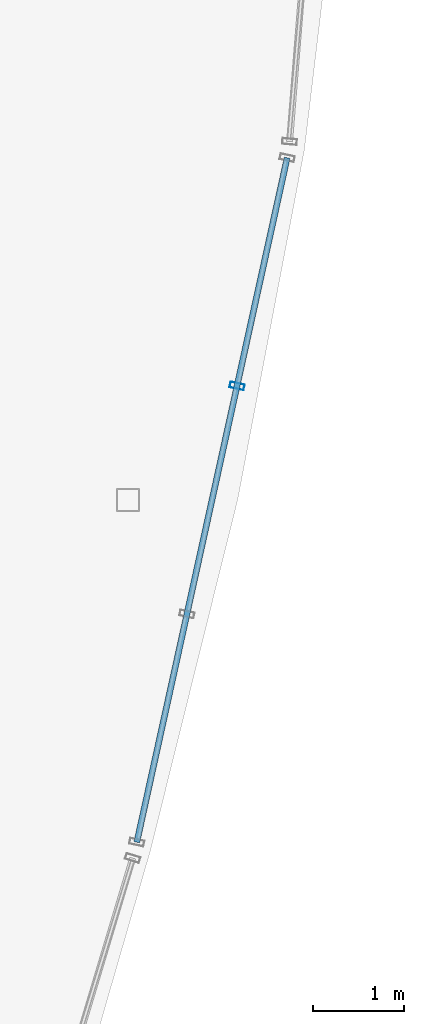
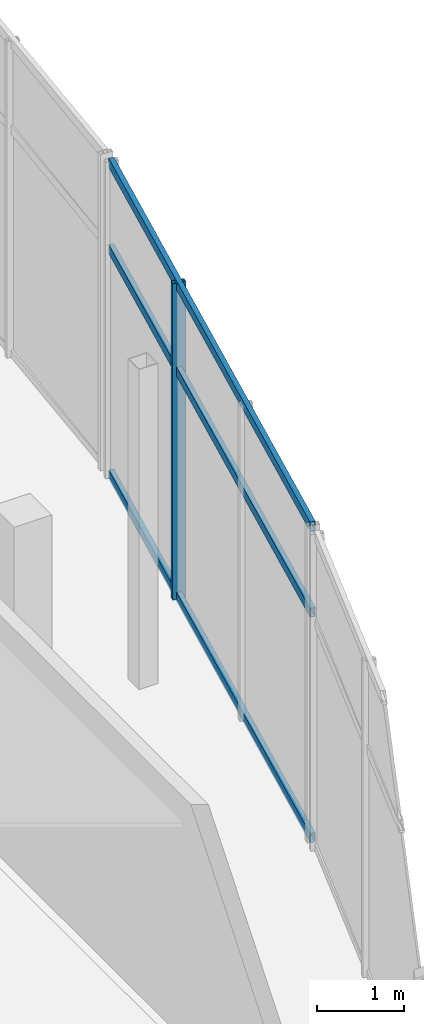
# One storey, part 63 of 114: 4 members, 1 element without a shape of its own.
"""IFC4 building model written with IfcOpenShell, lengths in metres."""

from ifc_helpers import new_model, si_unit, direction, frame, origin, origin_2d, place, context, subcontext, project, spatial, hollow_rectangle, extrude, material, layer, layer_set, material_profile, profile_set, type_object, element, aggregate, save


model = new_model("IFC4")

# Units and contexts
model_context = context("Model", 3, precision=1e-05, world=origin(), true_north=direction((0.0, 1.0)))
body_context = subcontext(model_context, "Body", "Model", "MODEL_VIEW")
ifc_project = project(units=[si_unit("LENGTHUNIT", "METRE"), si_unit("AREAUNIT", "SQUARE_METRE"), si_unit("VOLUMEUNIT", "CUBIC_METRE"), si_unit("PLANEANGLEUNIT", "RADIAN"), si_unit("MASSUNIT", "GRAM", prefix="KILO")], contexts=[model_context])

# Site, building, storey
site_placement = place(None, origin())
site = spatial("IfcSite", under=ifc_project, at=site_placement, CompositionType="ELEMENT")
building_placement = place(site_placement, origin())
building = spatial("IfcBuilding", under=site, at=building_placement, Name="Chalmorin Arch Market", CompositionType="ELEMENT")
storey_placement = place(building_placement, frame((0.0, 0.0, 9.60009765625)))
storey = spatial("IfcBuildingStorey", under=building, at=storey_placement, Name="L02", CompositionType="ELEMENT", Elevation=9.60009765625)

# Curtain wall, members
ifc_material = material(Name="Aluminium 6063-T6", Category="aluminium")
ifc_layer = layer(ifc_material, 0.159912109375)
ifc_layer_set = layer_set([ifc_layer], Name="Aluminium 6063-T6")
curtain_wall_type = type_object("IfcCurtainWallType", Name="CulinaryStudioCurtainWall-CW3-7670x4450", PredefinedType="NOTDEFINED", material=ifc_layer_set)
curtain_wall_placement = place(storey_placement, origin())
curtain_wall = element("IfcCurtainWall", 1, at=curtain_wall_placement, inside=storey, type_object=curtain_wall_type, Name="CW-03-182", PredefinedType="NOTDEFINED")
ifc_material_profile_1 = material_profile(ifc_material, hollow_rectangle(XDim=0.06494140625, YDim=0.159912109375, WallThickness=0.00390625, at=origin_2d()), Name="ALU65X160X4")
ifc_profile_set_1 = profile_set([ifc_material_profile_1], Name="Aluminium 6063-T6")
member_type_1 = type_object("IfcMemberType", Name="CurtainWallMullion-65x160", PredefinedType="MULLION", material=ifc_profile_set_1)
member_1_placement = place(storey_placement, frame((119.09619140625, 84.748291015625, 0.0), z_axis=(0.0, 0.0, 1.0), x_axis=(0.207911690818, 0.978147600734, 0.0)))
member_1 = element("IfcMember", 2, at=member_1_placement, type_object=member_type_1, Name="ML-182-03", PredefinedType="MULLION", context=body_context, shape_type="SweptSolid", body=[
    extrude(hollow_rectangle(XDim=0.06494140625, YDim=0.159912109375, WallThickness=0.00390625, at=origin_2d()), origin(), (0.0, 0.0, 1.0), 4.449951171875),
])
ifc_material_profile_2 = material_profile(ifc_material, hollow_rectangle(XDim=0.06494140625, YDim=0.1298828125, WallThickness=0.00390625, at=origin_2d()), Name="ALU65X130X4")
ifc_profile_set_2 = profile_set([ifc_material_profile_2], Name="Aluminium 6063-T6")
member_type_2 = type_object("IfcMemberType", Name="CurtainWallTransom-65x130", PredefinedType="USERDEFINED", material=ifc_profile_set_2)
member_2_placement = place(storey_placement, frame((117.999267578125, 79.7548828125, 0.034912109375), z_axis=(0.214570262836, 0.976708555459, 0.0), x_axis=(-0.976708555459, 0.214570262836, 0.0)))
member_2 = element("IfcMember", 3, at=member_2_placement, type_object=member_type_2, Name="TR-182-01", ObjectType="TRANSOM", PredefinedType="USERDEFINED", context=body_context, shape_type="SweptSolid", body=[
    extrude(hollow_rectangle(XDim=0.06494140625, YDim=0.1298828125, WallThickness=0.00390625, at=origin_2d()), origin(), (0.0, 0.0, 1.0), 7.6689453125),
])
member_3_placement = place(storey_placement, frame((117.999267578125, 79.7548828125, 3.203857421875), z_axis=(0.214570262836, 0.976708555459, 0.0), x_axis=(-0.976708555459, 0.214570262836, 0.0)))
member_3 = element("IfcMember", 4, at=member_3_placement, type_object=member_type_2, Name="TR-182-02", ObjectType="TRANSOM", PredefinedType="USERDEFINED", context=body_context, shape_type="SweptSolid", body=[
    extrude(hollow_rectangle(XDim=0.06494140625, YDim=0.1298828125, WallThickness=0.00390625, at=origin_2d()), origin(), (0.0, 0.0, 1.0), 7.6689453125),
])
member_4_placement = place(storey_placement, frame((117.999267578125, 79.7548828125, 4.414794921875), z_axis=(0.214570262836, 0.976708555459, 0.0), x_axis=(-0.976708555459, 0.214570262836, 0.0)))
member_4 = element("IfcMember", 5, at=member_4_placement, type_object=member_type_2, Name="TR-182-03", ObjectType="TRANSOM", PredefinedType="USERDEFINED", context=body_context, shape_type="SweptSolid", body=[
    extrude(hollow_rectangle(XDim=0.06494140625, YDim=0.1298828125, WallThickness=0.00390625, at=origin_2d()), origin(), (0.0, 0.0, 1.0), 7.6689453125),
])
aggregate(curtain_wall, [member_1, member_2, member_3, member_4])

save(model, "model.ifc")
